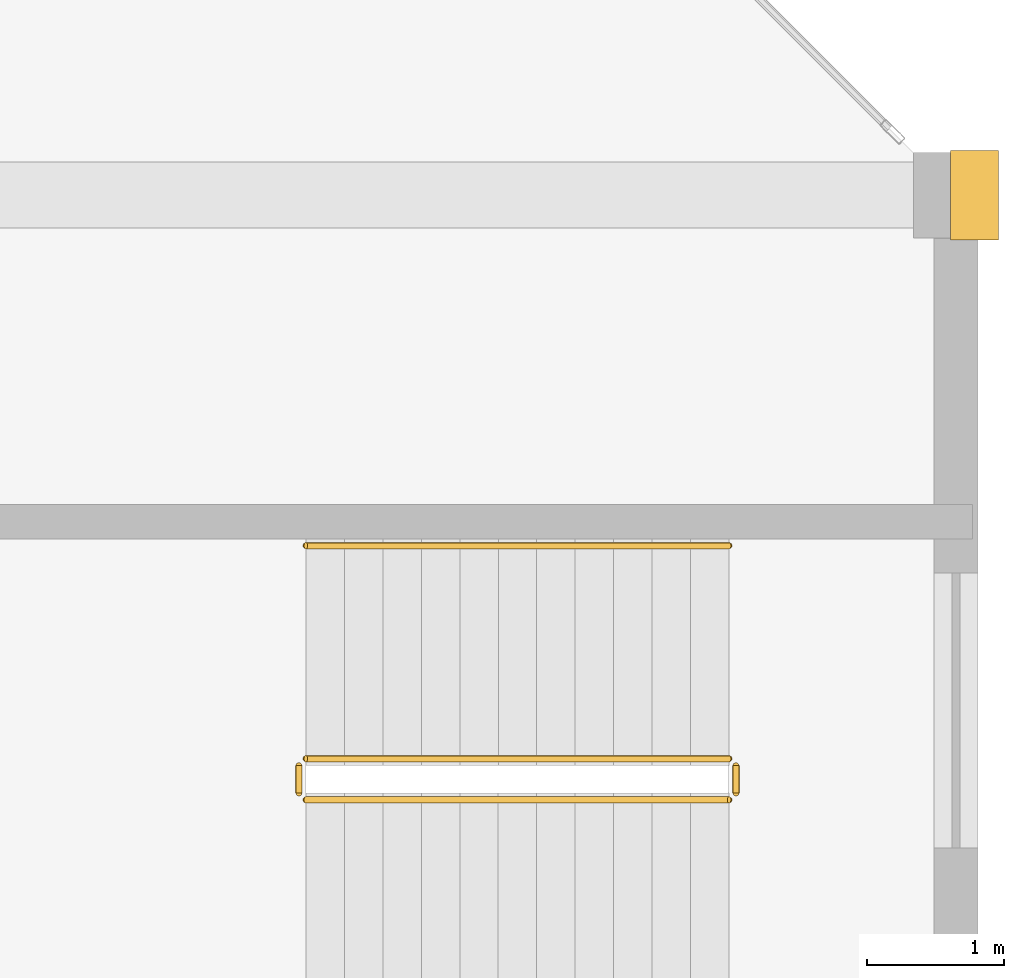
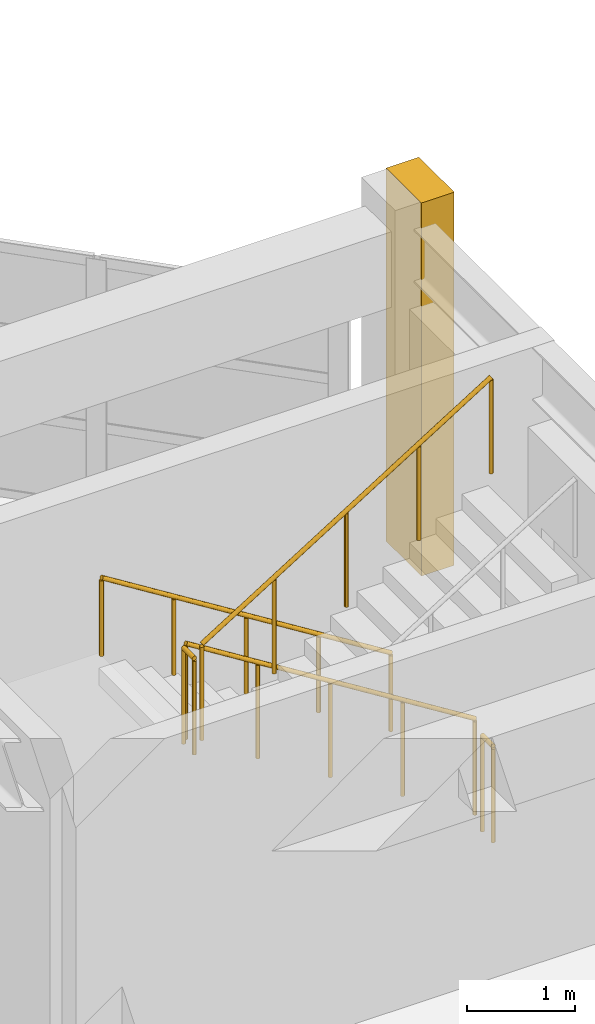
# One storey, part 130 of 132: 5 railings, 1 covering.
"""IFC4 building model written with IfcOpenShell, lengths in metres."""

from ifc_helpers import new_model, si_unit, direction, frame, origin, origin_2d, place, context, subcontext, project, spatial, rectangle, circle, extrude, material, layer, layer_set, type_object, element, save


model = new_model("IFC4")

# Units and contexts
model_context = context("Model", 3, precision=1e-05, world=origin(), true_north=direction((0.0, 1.0)))
body_context = subcontext(model_context, "Body", "Model", "MODEL_VIEW")
ifc_project = project(units=[si_unit("LENGTHUNIT", "METRE"), si_unit("AREAUNIT", "SQUARE_METRE"), si_unit("VOLUMEUNIT", "CUBIC_METRE"), si_unit("PLANEANGLEUNIT", "RADIAN"), si_unit("MASSUNIT", "GRAM", prefix="KILO")], contexts=[model_context])

# Site, building, storey
site_placement = place(None, origin())
site = spatial("IfcSite", under=ifc_project, at=site_placement, CompositionType="ELEMENT")
building_placement = place(site_placement, origin())
building = spatial("IfcBuilding", under=site, at=building_placement, Name="Qasida Concert Hall", CompositionType="ELEMENT")
storey_placement = place(building_placement, frame((0.0, 0.0, 4.800048828125)))
storey = spatial("IfcBuildingStorey", under=building, at=storey_placement, Name="L01", CompositionType="ELEMENT", Elevation=4.800048828125)

# Covering
ifc_material_1 = material(Name="Projecting fluted Lebanese limestone Art Deco pilaster", Category="masonry")
ifc_layer_1 = layer(ifc_material_1, 0.35009765625, Name="Projecting fluted Lebanese limestone Art Deco pilaster")
ifc_layer_set_1 = layer_set([ifc_layer_1], Name="Projecting fluted Lebanese limestone Art Deco pilaster")
covering_type = type_object("IfcCoveringType", Name="CV-PIL-650", PredefinedType="CLADDING", material=ifc_layer_set_1)
covering_placement = place(storey_placement, frame((165.135009765625, 22.5, 0.0), z_axis=(0.0, 0.0, 1.0), x_axis=(1.0, 0.0, 0.0)))
element("IfcCovering", 1, at=covering_placement, inside=storey, type_object=covering_type, Name="L01 fluted limestone pilaster 0232", PredefinedType="CLADDING", context=body_context, shape_type="SweptSolid", body=[
    extrude(rectangle(XDim=0.35009765625, YDim=0.64990234375, at=origin_2d()), origin(), (0.0, 0.0, 1.0), 4.199951171875),
])

# Railings
ifc_material_2 = material(Name="Patinated architectural bronze and laminated glass infill", Category="glass")
ifc_layer_2 = layer(ifc_material_2, 0.080078125, Name="Patinated architectural bronze and laminated glass infill")
ifc_layer_set_2 = layer_set([ifc_layer_2], Name="Patinated architectural bronze and laminated glass infill")
railing_type_1 = type_object("IfcRailingType", Name="RL-GRD-1100", PredefinedType="GUARDRAIL", material=ifc_layer_set_2)
railing_1_placement = place(storey_placement, frame((163.35009765625, 18.39990234375, 0.175048828125)))
element("IfcRailing", 2, at=railing_1_placement, inside=storey, type_object=railing_type_1, Name="L01 ST-10 stair guard 1", PredefinedType="GUARDRAIL", context=body_context, shape_type="SweptSolid", body=[
    extrude(circle(Radius=0.02392578125, at=origin_2d()), frame((0.0, 0.0, 1.076171875), z_axis=(-0.848028513186, 0.0, 0.529950602248), x_axis=(0.0, -1.0, 0.0)), (0.0, 0.0, 1.0), 3.632080078125),
    extrude(circle(Radius=0.02099609375, at=origin_2d()), origin(), (0.0, 0.0, 1.0), 1.052001953125),
    extrude(circle(Radius=0.02099609375, at=origin_2d()), frame((-0.77001953125, 0.0, 0.481201171875)), (0.0, 0.0, 1.0), 1.052001953125),
    extrude(circle(Radius=0.02099609375, at=origin_2d()), frame((-1.5400390625, 0.0, 0.96240234375)), (0.0, 0.0, 1.0), 1.052001953125),
    extrude(circle(Radius=0.02099609375, at=origin_2d()), frame((-2.31005859375, 0.0, 1.443603515625)), (0.0, 0.0, 1.0), 1.052001953125),
    extrude(circle(Radius=0.02099609375, at=origin_2d()), frame((-3.080078125, 0.0, 1.9248046875)), (0.0, 0.0, 1.0), 1.052001953125),
])
railing_2_placement = place(storey_placement, frame((160.219970703125, 18.35009765625, 2.099853515625)))
element("IfcRailing", 3, at=railing_2_placement, inside=storey, type_object=railing_type_1, Name="L01 ST-10 stair guard 2", PredefinedType="GUARDRAIL", context=body_context, shape_type="SweptSolid", body=[
    extrude(circle(Radius=0.02392578125, at=origin_2d()), frame((0.0, 0.0, 1.076171875), z_axis=(0.0, -1.0, 0.0), x_axis=(1.0, 0.0, 0.0)), (0.0, 0.0, 1.0), 0.2001953125),
    extrude(circle(Radius=0.02099609375, at=origin_2d()), origin(), (0.0, 0.0, 1.0), 1.052001953125),
    extrude(circle(Radius=0.02099609375, at=origin_2d()), frame((0.0, -0.2001953125, 0.0)), (0.0, 0.0, 1.0), 1.052001953125),
])
railing_3_placement = place(storey_placement, frame((160.27001953125, 18.10009765625, 2.27490234375)))
element("IfcRailing", 4, at=railing_3_placement, inside=storey, type_object=railing_type_1, Name="L01 ST-10 stair guard 3", PredefinedType="GUARDRAIL", context=body_context, shape_type="SweptSolid", body=[
    extrude(circle(Radius=0.02392578125, at=origin_2d()), frame((0.0, 0.0, 1.076171875), z_axis=(0.847998304005, 0.0, 0.529998940003), x_axis=(0.0, 1.0, 0.0)), (0.0, 0.0, 1.0), 3.632080078125),
    extrude(circle(Radius=0.02099609375, at=origin_2d()), origin(), (0.0, 0.0, 1.0), 1.052001953125),
    extrude(circle(Radius=0.02099609375, at=origin_2d()), frame((0.77001953125, 0.0, 0.481201171875)), (0.0, 0.0, 1.0), 1.052001953125),
    extrude(circle(Radius=0.02099609375, at=origin_2d()), frame((1.5400390625, 0.0, 0.96240234375)), (0.0, 0.0, 1.0), 1.052001953125),
    extrude(circle(Radius=0.02099609375, at=origin_2d()), frame((2.31005859375, 0.0, 1.44384765625)), (0.0, 0.0, 1.0), 1.052001953125),
    extrude(circle(Radius=0.02099609375, at=origin_2d()), frame((3.080078125, 0.0, 1.925048828125)), (0.0, 0.0, 1.0), 1.052001953125),
])
railing_4_placement = place(storey_placement, frame((163.39990234375, 18.35009765625, 0.0)))
element("IfcRailing", 5, at=railing_4_placement, inside=storey, type_object=railing_type_1, Name="L01 ST-10 stair guard 4", PredefinedType="GUARDRAIL", context=body_context, shape_type="SweptSolid", body=[
    extrude(circle(Radius=0.02392578125, at=origin_2d()), frame((0.0, 0.0, 1.076171875), z_axis=(0.0, -1.0, 0.0), x_axis=(1.0, 0.0, 0.0)), (0.0, 0.0, 1.0), 0.2001953125),
    extrude(circle(Radius=0.02099609375, at=origin_2d()), origin(), (0.0, 0.0, 1.0), 1.052001953125),
    extrude(circle(Radius=0.02099609375, at=origin_2d()), frame((0.0, -0.2001953125, 0.0)), (0.0, 0.0, 1.0), 1.052001953125),
])
ifc_material_3 = material(Name="Patinated tubular architectural bronze", Category="steel")
ifc_layer_3 = layer(ifc_material_3, 0.050048828125, Name="Patinated tubular architectural bronze")
ifc_layer_set_3 = layer_set([ifc_layer_3], Name="Patinated tubular architectural bronze")
railing_type_2 = type_object("IfcRailingType", Name="RL-HND-900", PredefinedType="HANDRAIL", material=ifc_layer_set_3)
railing_5_placement = place(storey_placement, frame((163.35009765625, 19.949951171875, 0.175048828125)))
element("IfcRailing", 6, at=railing_5_placement, inside=storey, type_object=railing_type_2, Name="L01 ST-10 stair handrail 1", PredefinedType="HANDRAIL", context=body_context, shape_type="SweptSolid", body=[
    extrude(circle(Radius=0.02392578125, at=origin_2d()), frame((0.0, 0.0, 0.8759765625), z_axis=(-0.848028513186, 0.0, 0.529950602248), x_axis=(0.0, -1.0, 0.0)), (0.0, 0.0, 1.0), 3.632080078125),
    extrude(circle(Radius=0.02099609375, at=origin_2d()), origin(), (0.0, 0.0, 1.0), 0.851806640625),
    extrude(circle(Radius=0.02099609375, at=origin_2d()), frame((-0.77001953125, 0.0, 0.481201171875)), (0.0, 0.0, 1.0), 0.851806640625),
    extrude(circle(Radius=0.02099609375, at=origin_2d()), frame((-1.5400390625, 0.0, 0.96240234375)), (0.0, 0.0, 1.0), 0.851806640625),
    extrude(circle(Radius=0.02099609375, at=origin_2d()), frame((-2.31005859375, 0.0, 1.443603515625)), (0.0, 0.0, 1.0), 0.851806640625),
    extrude(circle(Radius=0.02099609375, at=origin_2d()), frame((-3.080078125, 0.0, 1.9248046875)), (0.0, 0.0, 1.0), 0.851806640625),
])

save(model, "model.ifc")
